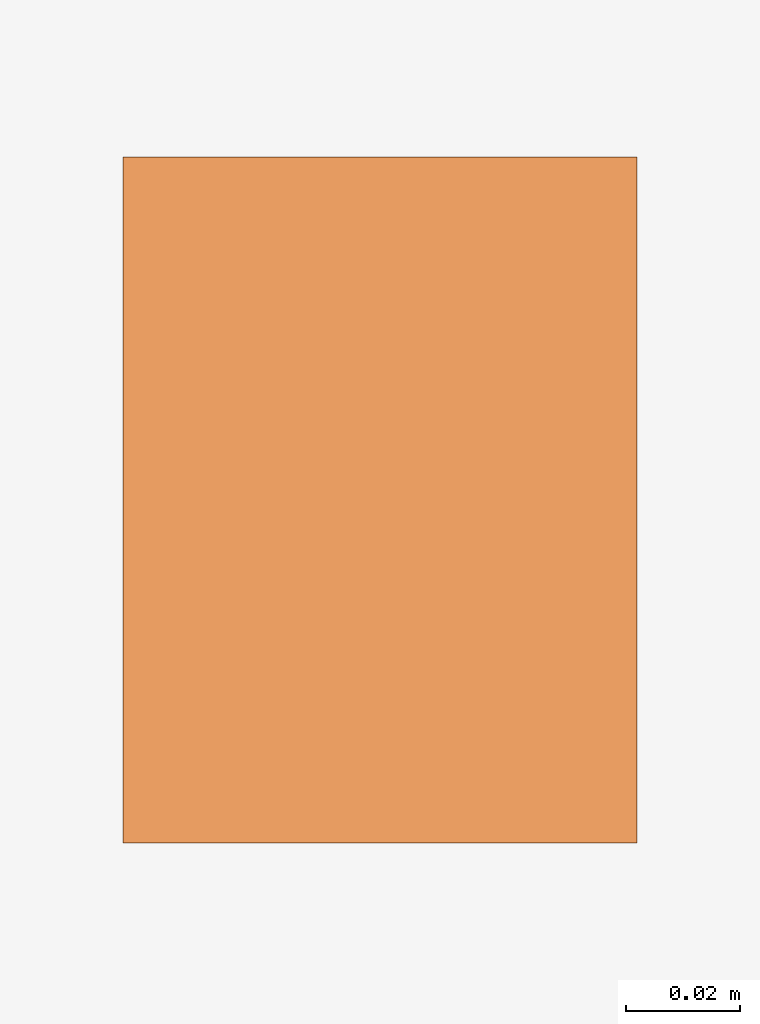
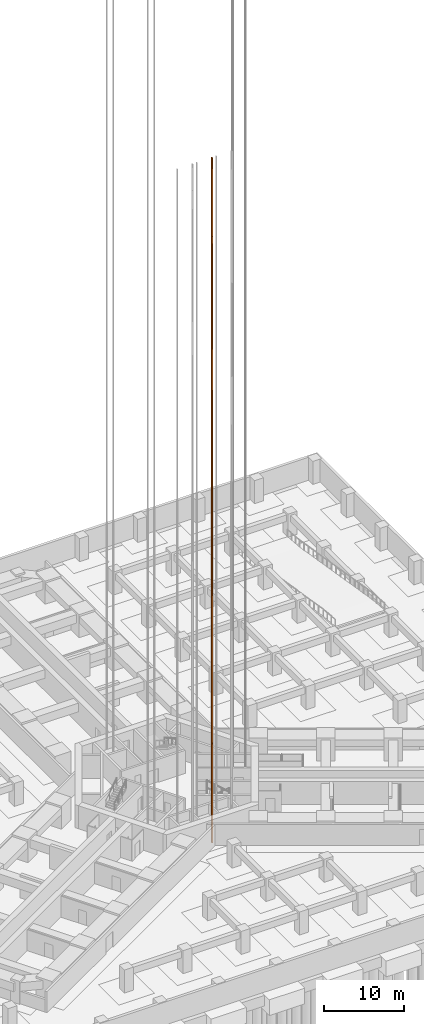
# One storey, part 68 of 73: 1 proxy.
"""IFC4 building model written with IfcOpenShell, lengths in metres."""

from ifc_helpers import new_model, si_unit, direction, frame, origin, origin_2d, place, context, subcontext, project, spatial, rectangle, extrude, material, type_object, element, save


model = new_model("IFC4")

# Units and contexts
model_context = context("Model", 3, precision=1e-05, world=origin(), true_north=direction((0.0, 1.0)))
body_context = subcontext(model_context, "Body", "Model", "MODEL_VIEW")
ifc_project = project(units=[si_unit("LENGTHUNIT", "METRE"), si_unit("AREAUNIT", "SQUARE_METRE"), si_unit("VOLUMEUNIT", "CUBIC_METRE"), si_unit("PLANEANGLEUNIT", "RADIAN"), si_unit("MASSUNIT", "GRAM", prefix="KILO")], contexts=[model_context])

# Site, building, storey
site_placement = place(None, origin())
site = spatial("IfcSite", under=ifc_project, at=site_placement, CompositionType="ELEMENT")
building_placement = place(site_placement, origin())
building = spatial("IfcBuilding", under=site, at=building_placement, Name="Impinga Residences", CompositionType="ELEMENT")
storey_placement = place(building_placement, frame((0.0, 0.0, -10.5)))
storey = spatial("IfcBuildingStorey", under=building, at=storey_placement, Name="B3", CompositionType="ELEMENT", Elevation=-10.5)

# Proxy
ifc_material = material(Name="Steel lift guide rail, galvanised", Category="steel")
building_element_proxy_type = type_object("IfcBuildingElementProxyType", Name="LGR lift guide rail", PredefinedType="USERDEFINED", material=ifc_material)
proxy_placement = place(storey_placement, frame((1.10498046875, -9.381591796875, -1.60009765625), z_axis=(0.0, 0.0, 1.0), x_axis=(1.0, 0.0, 0.0)))
element("IfcBuildingElementProxy", 1, at=proxy_placement, inside=storey, type_object=building_element_proxy_type, Name="Guide rail P2 2", ObjectType="Lift guide rail", PredefinedType="USERDEFINED", context=body_context, shape_type="SweptSolid", body=[
    extrude(rectangle(XDim=0.090087890625, YDim=0.1201171875, at=origin_2d()), origin(), (0.0, 0.0, 1.0), 104.25),
])

save(model, "model.ifc")
